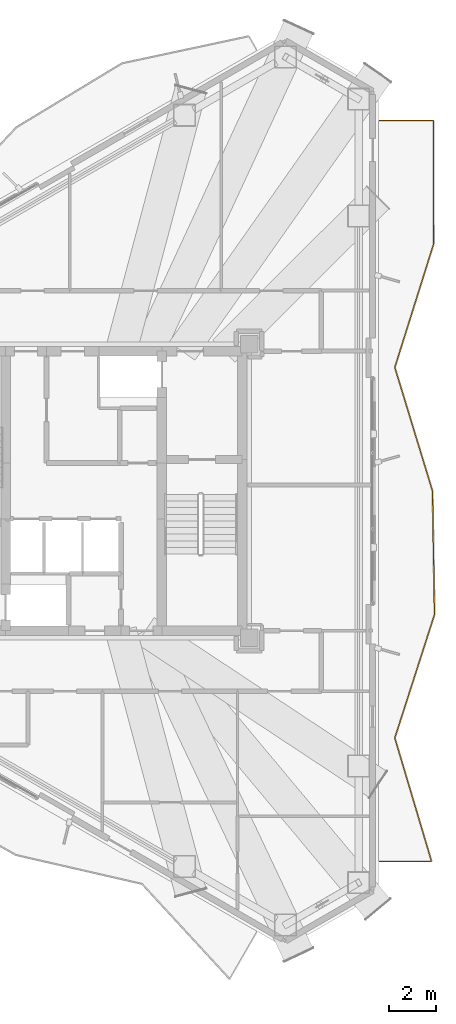
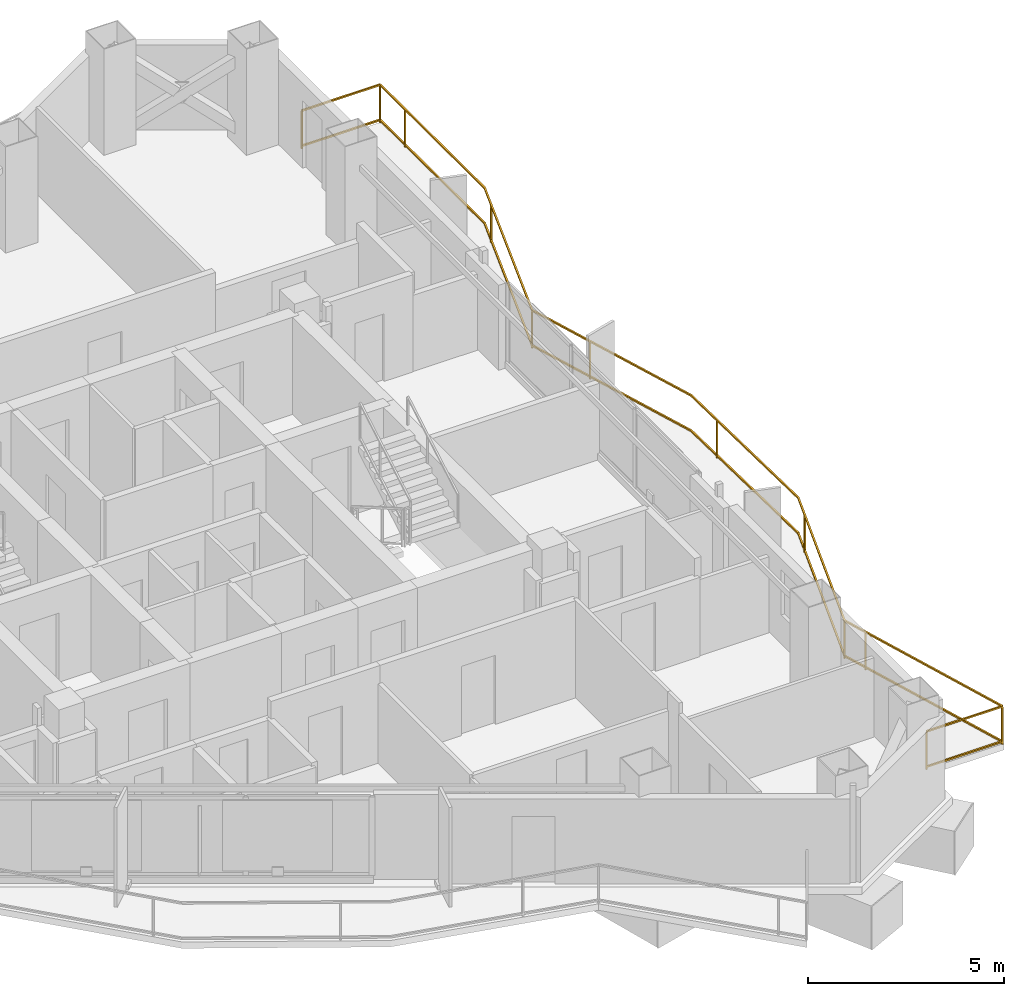
# One storey, part 22 of 22: 1 railing.
"""IFC4 building model written with IfcOpenShell, lengths in metres."""

from ifc_helpers import new_model, si_unit, direction, frame, origin, origin_2d, place, context, subcontext, project, spatial, rectangle, extrude, material, type_object, element, save


model = new_model("IFC4")

# Units and contexts
model_context = context("Model", 3, precision=1e-05, world=origin(), true_north=direction((0.0, 1.0)))
body_context = subcontext(model_context, "Body", "Model", "MODEL_VIEW")
ifc_project = project(units=[si_unit("LENGTHUNIT", "METRE"), si_unit("AREAUNIT", "SQUARE_METRE"), si_unit("VOLUMEUNIT", "CUBIC_METRE"), si_unit("PLANEANGLEUNIT", "RADIAN"), si_unit("MASSUNIT", "GRAM", prefix="KILO")], contexts=[model_context])

# Site, building, storey
site_placement = place(None, origin())
site = spatial("IfcSite", under=ifc_project, at=site_placement, CompositionType="ELEMENT")
building_placement = place(site_placement, origin())
building = spatial("IfcBuilding", under=site, at=building_placement, Name="Mersakhor Tower and Convention Hall", CompositionType="ELEMENT")
storey_placement = place(building_placement, frame((0.0, 0.0, 167.39990234375)))
storey = spatial("IfcBuildingStorey", under=building, at=storey_placement, Name="L46", CompositionType="ELEMENT", Elevation=167.39990234375)

# Railing
ifc_material = material(Name="Powder-coated galvanised steel and laminated glass balustrade", Category="steel")
railing_type = type_object("IfcRailingType", Name="RL-BAL-1200", PredefinedType="BALUSTRADE", material=ifc_material)
railing_placement = place(storey_placement, frame((41.703857421875, 10.842041015625, 0.0)))
element("IfcRailing", 1, at=railing_placement, inside=storey, type_object=railing_type, Name="L46 Sinusoidal Balcony Balustrade F2", PredefinedType="BALUSTRADE", context=body_context, shape_type="SweptSolid", body=[
    extrude(rectangle(XDim=0.048095703125, YDim=0.048095703125, at=origin_2d()), frame((0.0, 0.0, 1.17578125), z_axis=(1.0, 0.0, 0.0), x_axis=(0.0, 1.0, 0.0)), (0.0, 0.0, 1.0), 2.227783203125),
    extrude(rectangle(XDim=0.048095703125, YDim=0.048095703125, at=origin_2d()), frame((0.0, 0.0, 0.080078125), z_axis=(1.0, 0.0, 0.0), x_axis=(0.0, 1.0, 0.0)), (0.0, 0.0, 1.0), 2.227783203125),
    extrude(rectangle(XDim=0.048095703125, YDim=0.048095703125, at=origin_2d()), frame((2.227783203125, 0.0, 1.17578125), z_axis=(-0.285201474535, 0.958467588875, 0.0), x_axis=(-0.958467588875, -0.285201474535, 0.0)), (0.0, 0.0, 1.0), 5.532470703125),
    extrude(rectangle(XDim=0.048095703125, YDim=0.048095703125, at=origin_2d()), frame((2.227783203125, 0.0, 0.080078125), z_axis=(-0.285201474535, 0.958467588875, 0.0), x_axis=(-0.958467588875, -0.285201474535, 0.0)), (0.0, 0.0, 1.0), 5.532470703125),
    extrude(rectangle(XDim=0.048095703125, YDim=0.048095703125, at=origin_2d()), frame((0.64990234375, 5.302734375, 1.17578125), z_axis=(0.306084379299, 0.952004386938, 0.0), x_axis=(-0.952004386938, 0.306084379299, 0.0)), (0.0, 0.0, 1.0), 5.56982421875),
    extrude(rectangle(XDim=0.048095703125, YDim=0.048095703125, at=origin_2d()), frame((0.64990234375, 5.302734375, 0.080078125), z_axis=(0.306084379299, 0.952004386938, 0.0), x_axis=(-0.952004386938, 0.306084379299, 0.0)), (0.0, 0.0, 1.0), 5.56982421875),
    extrude(rectangle(XDim=0.048095703125, YDim=0.048095703125, at=origin_2d()), frame((2.354736328125, 10.605224609375, 1.17578125), z_axis=(-0.016572309445, 0.99986266985, 0.0), x_axis=(-0.99986266985, -0.016572309445, 0.0)), (0.0, 0.0, 1.0), 5.303466796875),
    extrude(rectangle(XDim=0.048095703125, YDim=0.048095703125, at=origin_2d()), frame((2.354736328125, 10.605224609375, 0.080078125), z_axis=(-0.016572309445, 0.99986266985, 0.0), x_axis=(-0.99986266985, -0.016572309445, 0.0)), (0.0, 0.0, 1.0), 5.303466796875),
    extrude(rectangle(XDim=0.048095703125, YDim=0.048095703125, at=origin_2d()), frame((2.266845703125, 15.907958984375, 1.17578125), z_axis=(-0.29166801953, 0.956519611081, 0.0), x_axis=(-0.956519611081, -0.29166801953, 0.0)), (0.0, 0.0, 1.0), 5.543701171875),
    extrude(rectangle(XDim=0.048095703125, YDim=0.048095703125, at=origin_2d()), frame((2.266845703125, 15.907958984375, 0.080078125), z_axis=(-0.29166801953, 0.956519611081, 0.0), x_axis=(-0.956519611081, -0.29166801953, 0.0)), (0.0, 0.0, 1.0), 5.543701171875),
    extrude(rectangle(XDim=0.048095703125, YDim=0.048095703125, at=origin_2d()), frame((0.64990234375, 21.210693359375, 1.17578125), z_axis=(0.300027597728, 0.953930521894, 0.0), x_axis=(-0.953930521894, 0.300027597728, 0.0)), (0.0, 0.0, 1.0), 5.55859375),
    extrude(rectangle(XDim=0.048095703125, YDim=0.048095703125, at=origin_2d()), frame((0.64990234375, 21.210693359375, 0.080078125), z_axis=(0.300027597728, 0.953930521894, 0.0), x_axis=(-0.953930521894, 0.300027597728, 0.0)), (0.0, 0.0, 1.0), 5.55859375),
    extrude(rectangle(XDim=0.048095703125, YDim=0.048095703125, at=origin_2d()), frame((2.317626953125, 26.51318359375, 1.17578125), z_axis=(-0.002394099953, 0.999997134139, 0.0), x_axis=(-0.999997134139, -0.002394099953, 0.0)), (0.0, 0.0, 1.0), 5.302734375),
    extrude(rectangle(XDim=0.048095703125, YDim=0.048095703125, at=origin_2d()), frame((2.317626953125, 26.51318359375, 0.080078125), z_axis=(-0.002394099953, 0.999997134139, 0.0), x_axis=(-0.999997134139, -0.002394099953, 0.0)), (0.0, 0.0, 1.0), 5.302734375),
    extrude(rectangle(XDim=0.048095703125, YDim=0.048095703125, at=origin_2d()), frame((2.304931640625, 31.81591796875, 1.17578125), z_axis=(-1.0, 0.0, 0.0), x_axis=(0.0, -1.0, 0.0)), (0.0, 0.0, 1.0), 2.304931640625),
    extrude(rectangle(XDim=0.048095703125, YDim=0.048095703125, at=origin_2d()), frame((2.304931640625, 31.81591796875, 0.080078125), z_axis=(-1.0, 0.0, 0.0), x_axis=(0.0, -1.0, 0.0)), (0.0, 0.0, 1.0), 2.304931640625),
    extrude(rectangle(XDim=0.0419921875, YDim=0.0419921875, at=origin_2d()), origin(), (0.0, 0.0, 1.0), 1.15185546875),
    extrude(rectangle(XDim=0.0419921875, YDim=0.0419921875, at=origin_2d()), frame((2.227783203125, 0.0, 0.0)), (0.0, 0.0, 1.0), 1.15185546875),
    extrude(rectangle(XDim=0.0419921875, YDim=0.0419921875, at=origin_2d()), frame((0.85888671875, 4.6005859375, 0.0)), (0.0, 0.0, 1.0), 1.15185546875),
    extrude(rectangle(XDim=0.0419921875, YDim=0.0419921875, at=origin_2d()), frame((0.64990234375, 5.302734375, 0.0)), (0.0, 0.0, 1.0), 1.15185546875),
    extrude(rectangle(XDim=0.0419921875, YDim=0.0419921875, at=origin_2d()), frame((2.119140625, 9.872314453125, 0.0)), (0.0, 0.0, 1.0), 1.15185546875),
    extrude(rectangle(XDim=0.0419921875, YDim=0.0419921875, at=origin_2d()), frame((2.287841796875, 14.634765625, 0.0)), (0.0, 0.0, 1.0), 1.15185546875),
    extrude(rectangle(XDim=0.0419921875, YDim=0.0419921875, at=origin_2d()), frame((1.23828125, 19.28125, 0.0)), (0.0, 0.0, 1.0), 1.15185546875),
    extrude(rectangle(XDim=0.0419921875, YDim=0.0419921875, at=origin_2d()), frame((0.64990234375, 21.210693359375, 0.0)), (0.0, 0.0, 1.0), 1.15185546875),
    extrude(rectangle(XDim=0.0419921875, YDim=0.0419921875, at=origin_2d()), frame((2.090087890625, 25.78955078125, 0.0)), (0.0, 0.0, 1.0), 1.15185546875),
    extrude(rectangle(XDim=0.0419921875, YDim=0.0419921875, at=origin_2d()), frame((2.307861328125, 30.5546875, 0.0)), (0.0, 0.0, 1.0), 1.15185546875),
    extrude(rectangle(XDim=0.0419921875, YDim=0.0419921875, at=origin_2d()), frame((2.304931640625, 31.81591796875, 0.0)), (0.0, 0.0, 1.0), 1.15185546875),
    extrude(rectangle(XDim=0.0419921875, YDim=0.0419921875, at=origin_2d()), frame((0.0, 31.81591796875, 0.0)), (0.0, 0.0, 1.0), 1.15185546875),
])

save(model, "model.ifc")
